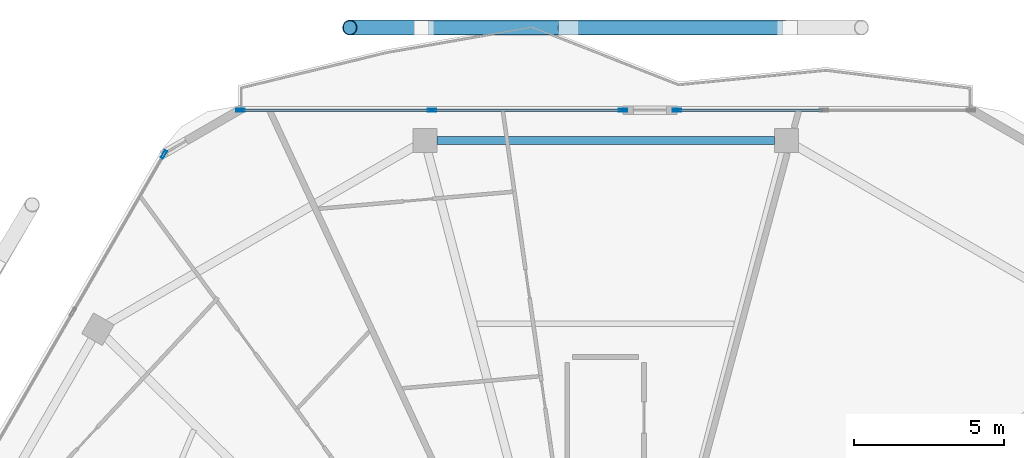
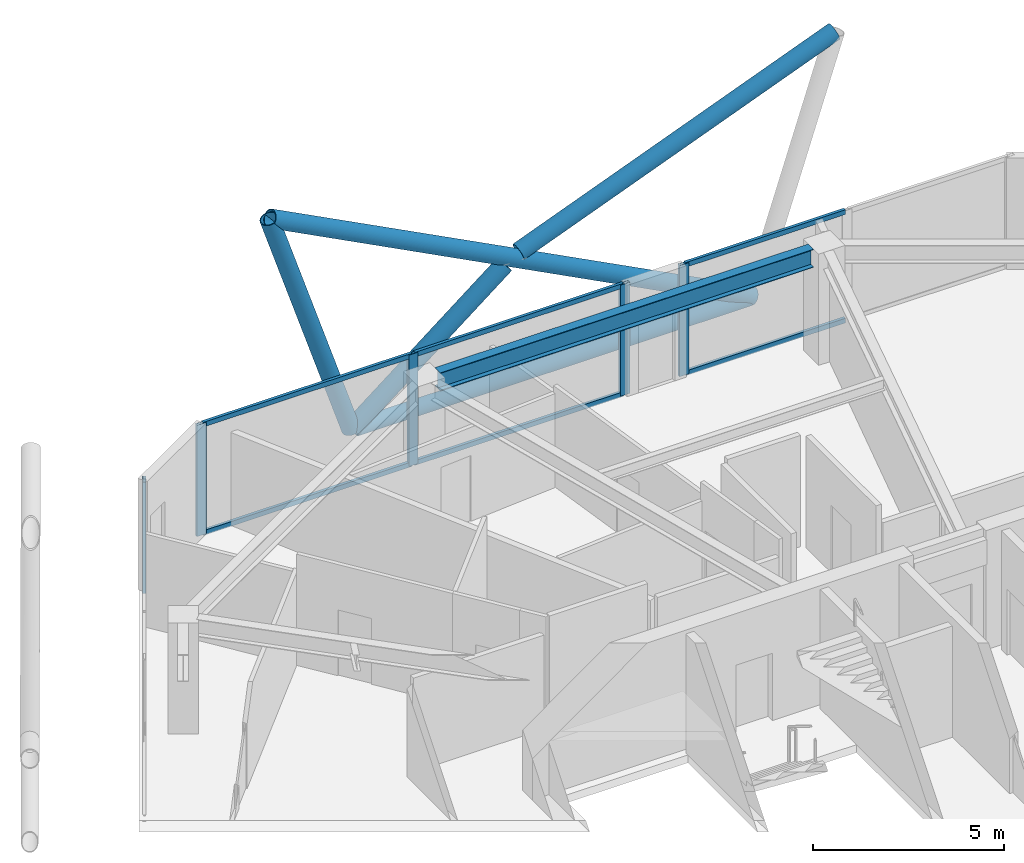
# One storey, part 12 of 23: 16 members, 1 beam, 3 elements without a shape of their own.
"""IFC4 building model written with IfcOpenShell, lengths in metres."""

from ifc_helpers import new_model, si_unit, direction, frame, origin, origin_2d, place, context, subcontext, project, spatial, hollow_rectangle, hollow_circle, i_section, extrude, material, material_profile, profile_set, type_object, element, aggregate, save


model = new_model("IFC4")

# Units and contexts
model_context = context("Model", 3, precision=1e-05, world=origin(), true_north=direction((0.0, 1.0)))
body_context = subcontext(model_context, "Body", "Model", "MODEL_VIEW")
ifc_project = project(units=[si_unit("LENGTHUNIT", "METRE"), si_unit("AREAUNIT", "SQUARE_METRE"), si_unit("VOLUMEUNIT", "CUBIC_METRE"), si_unit("PLANEANGLEUNIT", "RADIAN"), si_unit("MASSUNIT", "GRAM", prefix="KILO")], contexts=[model_context])

# Site, building, storey
site_placement = place(None, origin())
site = spatial("IfcSite", under=ifc_project, at=site_placement, CompositionType="ELEMENT")
building_placement = place(site_placement, origin())
building = spatial("IfcBuilding", under=site, at=building_placement, Name="Zuhravey Tower", CompositionType="ELEMENT")
storey_placement = place(building_placement, frame((0.0, 0.0, 323.39990234375)))
storey = spatial("IfcBuildingStorey", under=building, at=storey_placement, Name="L82", CompositionType="ELEMENT", Elevation=323.39990234375)

# Curtain wall, member
ifc_material_1 = material(Name="Thermally broken anodised aluminium", Category="aluminium")
curtain_wall_type = type_object("IfcCurtainWallType", Name="Zone 3-4 High-Rise Curtain Wall CW4", PredefinedType="NOTDEFINED", material=ifc_material_1)
curtain_wall_1_placement = place(storey_placement, origin())
curtain_wall_1 = element("IfcCurtainWall", 1, at=curtain_wall_1_placement, inside=storey, type_object=curtain_wall_type, Name="L82 CW4 CW-L82-F3-1", PredefinedType="NOTDEFINED")
ifc_material_2 = material(Name="Anodised aluminium", Category="aluminium")
ifc_material_profile_1 = material_profile(ifc_material_2, hollow_rectangle(XDim=0.090087890625, YDim=0.284912109375, WallThickness=0.0048828125, at=origin_2d()), Name="ALU-RHS-90x285x5")
ifc_profile_set_1 = profile_set([ifc_material_profile_1], Name="Anodised aluminium")
member_type_1 = type_object("IfcMemberType", Name="Curtain-Wall Mullion 90x180", PredefinedType="MULLION", material=ifc_profile_set_1)
member_1_placement = place(storey_placement, frame((21.248291015625, 54.59765625, 0.0), z_axis=(0.0, 0.0, 1.0), x_axis=(-0.866025511541, 0.49999981336, 0.0)))
member_1 = element("IfcMember", 2, at=member_1_placement, type_object=member_type_1, Name="CW4 mullion 5", PredefinedType="MULLION", context=body_context, shape_type="SweptSolid", body=[
    extrude(hollow_rectangle(XDim=0.090087890625, YDim=0.284912109375, WallThickness=0.0048828125, at=origin_2d()), origin(), (0.0, 0.0, 1.0), 3.550048828125),
])
aggregate(curtain_wall_1, [member_1])

# Curtain wall, members
curtain_wall_2_placement = place(storey_placement, origin())
curtain_wall_2 = element("IfcCurtainWall", 3, at=curtain_wall_2_placement, inside=storey, type_object=curtain_wall_type, Name="L82 CW4 CW-L82-F2-1", PredefinedType="NOTDEFINED")
member_2_placement = place(storey_placement, frame((23.8056640625, 56.07421875, 0.0), z_axis=(0.0, 0.0, 1.0), x_axis=(0.0, 1.0, 0.0)))
member_2 = element("IfcMember", 4, at=member_2_placement, type_object=member_type_1, Name="CW4 mullion 1", PredefinedType="MULLION", context=body_context, shape_type="SweptSolid", body=[
    extrude(hollow_rectangle(XDim=0.090087890625, YDim=0.284912109375, WallThickness=0.0048828125, at=origin_2d()), origin(), (0.0, 0.0, 1.0), 3.550048828125),
])
member_3_placement = place(storey_placement, frame((30.19580078125, 56.07421875, 0.0), z_axis=(0.0, 0.0, 1.0), x_axis=(0.0, 1.0, 0.0)))
member_3 = element("IfcMember", 5, at=member_3_placement, type_object=member_type_1, Name="CW4 mullion 2", PredefinedType="MULLION", context=body_context, shape_type="SweptSolid", body=[
    extrude(hollow_rectangle(XDim=0.090087890625, YDim=0.284912109375, WallThickness=0.0048828125, at=origin_2d()), origin(), (0.0, 0.0, 1.0), 3.550048828125),
])
member_4_placement = place(storey_placement, frame((36.585693359375, 56.07421875, 0.0), z_axis=(0.0, 0.0, 1.0), x_axis=(0.0, 1.0, 0.0)))
member_4 = element("IfcMember", 6, at=member_4_placement, type_object=member_type_1, Name="CW4 mullion 3", PredefinedType="MULLION", context=body_context, shape_type="SweptSolid", body=[
    extrude(hollow_rectangle(XDim=0.090087890625, YDim=0.284912109375, WallThickness=0.0048828125, at=origin_2d()), origin(), (0.0, 0.0, 1.0), 3.550048828125),
])

# Curtain wall, member
curtain_wall_3_placement = place(storey_placement, origin())
curtain_wall_3 = element("IfcCurtainWall", 7, at=curtain_wall_3_placement, inside=storey, type_object=curtain_wall_type, Name="L82 CW4 CW-L82-F2-2", PredefinedType="NOTDEFINED")
member_5_placement = place(storey_placement, frame((38.375732421875, 56.07421875, 0.0), z_axis=(0.0, 0.0, 1.0), x_axis=(0.0, 1.0, 0.0)))
member_5 = element("IfcMember", 8, at=member_5_placement, type_object=member_type_1, Name="CW4 mullion 1", PredefinedType="MULLION", context=body_context, shape_type="SweptSolid", body=[
    extrude(hollow_rectangle(XDim=0.090087890625, YDim=0.284912109375, WallThickness=0.0048828125, at=origin_2d()), origin(), (0.0, 0.0, 1.0), 3.550048828125),
])

# Member
ifc_material_profile_2 = material_profile(ifc_material_2, hollow_rectangle(XDim=0.090087890625, YDim=0.14990234375, WallThickness=0.0048828125, at=origin_2d()), Name="ALU-RHS-90x150x5")
ifc_profile_set_2 = profile_set([ifc_material_profile_2], Name="Anodised aluminium")
member_type_2 = type_object("IfcMemberType", Name="Curtain-Wall Transom 90x150", PredefinedType="USERDEFINED", material=ifc_profile_set_2)
member_6_placement = place(storey_placement, frame((23.8505859375, 56.07421875, 0.045166015625), z_axis=(1.0, 0.0, 0.0), x_axis=(0.0, 1.0, 0.0)))
member_6 = element("IfcMember", 9, at=member_6_placement, type_object=member_type_2, Name="CW4 transom 1.1", ObjectType="TRANSOM", PredefinedType="USERDEFINED", context=body_context, shape_type="SweptSolid", body=[
    extrude(hollow_rectangle(XDim=0.090087890625, YDim=0.14990234375, WallThickness=0.0048828125, at=origin_2d()), origin(), (0.0, 0.0, 1.0), 6.300048828125),
])

member_7_placement = place(storey_placement, frame((23.8505859375, 56.07421875, 3.505126953125), z_axis=(1.0, 0.0, 0.0), x_axis=(0.0, 1.0, 0.0)))
member_7 = element("IfcMember", 10, at=member_7_placement, type_object=member_type_2, Name="CW4 transom 1.2", ObjectType="TRANSOM", PredefinedType="USERDEFINED", context=body_context, shape_type="SweptSolid", body=[
    extrude(hollow_rectangle(XDim=0.090087890625, YDim=0.14990234375, WallThickness=0.0048828125, at=origin_2d()), origin(), (0.0, 0.0, 1.0), 6.300048828125),
])

member_8_placement = place(storey_placement, frame((30.24072265625, 56.07421875, 0.045166015625), z_axis=(1.0, 0.0, 0.0), x_axis=(0.0, 1.0, 0.0)))
member_8 = element("IfcMember", 11, at=member_8_placement, type_object=member_type_2, Name="CW4 transom 2.1", ObjectType="TRANSOM", PredefinedType="USERDEFINED", context=body_context, shape_type="SweptSolid", body=[
    extrude(hollow_rectangle(XDim=0.090087890625, YDim=0.14990234375, WallThickness=0.0048828125, at=origin_2d()), origin(), (0.0, 0.0, 1.0), 6.300048828125),
])

member_9_placement = place(storey_placement, frame((30.24072265625, 56.07421875, 3.505126953125), z_axis=(1.0, 0.0, 0.0), x_axis=(0.0, 1.0, 0.0)))
member_9 = element("IfcMember", 12, at=member_9_placement, type_object=member_type_2, Name="CW4 transom 2.2", ObjectType="TRANSOM", PredefinedType="USERDEFINED", context=body_context, shape_type="SweptSolid", body=[
    extrude(hollow_rectangle(XDim=0.090087890625, YDim=0.14990234375, WallThickness=0.0048828125, at=origin_2d()), origin(), (0.0, 0.0, 1.0), 6.300048828125),
])

aggregate(curtain_wall_2, [member_2, member_3, member_4, member_6, member_7, member_8, member_9])

member_10_placement = place(storey_placement, frame((38.420654296875, 56.07421875, 0.045166015625), z_axis=(1.0, 0.0, 0.0), x_axis=(0.0, 1.0, 0.0)))
member_10 = element("IfcMember", 13, at=member_10_placement, type_object=member_type_2, Name="CW4 transom 1.1", ObjectType="TRANSOM", PredefinedType="USERDEFINED", context=body_context, shape_type="SweptSolid", body=[
    extrude(hollow_rectangle(XDim=0.090087890625, YDim=0.14990234375, WallThickness=0.0048828125, at=origin_2d()), origin(), (0.0, 0.0, 1.0), 4.8193359375),
])

member_11_placement = place(storey_placement, frame((38.420654296875, 56.07421875, 3.505126953125), z_axis=(1.0, 0.0, 0.0), x_axis=(0.0, 1.0, 0.0)))
member_11 = element("IfcMember", 14, at=member_11_placement, type_object=member_type_2, Name="CW4 transom 1.2", ObjectType="TRANSOM", PredefinedType="USERDEFINED", context=body_context, shape_type="SweptSolid", body=[
    extrude(hollow_rectangle(XDim=0.090087890625, YDim=0.14990234375, WallThickness=0.0048828125, at=origin_2d()), origin(), (0.0, 0.0, 1.0), 4.8193359375),
])

aggregate(curtain_wall_3, [member_5, member_10, member_11])

# Members
ifc_material_3 = material(Name="Steel SM355", Category="steel")
ifc_material_profile_3 = material_profile(ifc_material_3, hollow_circle(Radius=0.228515625, WallThickness=0.02197265625, at=origin_2d()), Name="CHS-457.2x22")
ifc_profile_set_3 = profile_set([ifc_material_profile_3], Name="Steel SM355")
member_type_3 = type_object("IfcMemberType", Name="Exoskeleton Ring Tie CHS457x22", PredefinedType="CHORD", material=ifc_profile_set_3)
member_12_placement = place(storey_placement, frame((41.927490234375, 58.833984375, -0.4638671875), z_axis=(-1.0, 0.0, 0.0), x_axis=(0.0, -1.0, 0.0)))
element("IfcMember", 15, at=member_12_placement, inside=storey, type_object=member_type_3, Name="L82 Exoskeleton Face 2 Tie EXR1", PredefinedType="CHORD", context=body_context, shape_type="SweptSolid", body=[
    extrude(hollow_circle(Radius=0.228515625, WallThickness=0.02197265625, at=origin_2d()), origin(), (0.0, 0.0, 1.0), 11.85498046875),
])
ifc_material_profile_4 = material_profile(ifc_material_3, hollow_circle(Radius=0.25390625, WallThickness=0.02490234375, at=origin_2d()), Name="CHS-508.0x25")
ifc_profile_set_4 = profile_set([ifc_material_profile_4], Name="Steel SM355")
member_type_4 = type_object("IfcMemberType", Name="Exoskeleton Zone 4 Diagrid CHS508x25", PredefinedType="BRACE", material=ifc_profile_set_4)
member_13_placement = place(storey_placement, frame((42.03662109375, 58.833984375, -0.447998046875), z_axis=(-0.887234343801, 0.0, 0.461318999371), x_axis=(0.0, -1.0, 0.0)))
element("IfcMember", 16, at=member_13_placement, inside=storey, type_object=member_type_4, Name="L82 Face 2 Diagrid Brace 2", PredefinedType="BRACE", context=body_context, shape_type="SweptSolid", body=[
    extrude(hollow_circle(Radius=0.25390625, WallThickness=0.02490234375, at=origin_2d()), origin(), (0.0, 0.0, 1.0), 16.4052734375),
])
member_14_placement = place(storey_placement, frame((29.927490234375, 58.833984375, -0.447998046875), z_axis=(-0.310453809256, 0.0, 0.950588466329), x_axis=(0.0, -1.0, 0.0)))
element("IfcMember", 17, at=member_14_placement, inside=storey, type_object=member_type_4, Name="L82 Face 2 Diagrid Brace 4", PredefinedType="BRACE", context=body_context, shape_type="SweptSolid", body=[
    extrude(hollow_circle(Radius=0.25390625, WallThickness=0.02490234375, at=origin_2d()), origin(), (0.0, 0.0, 1.0), 7.96142578125),
])
member_15_placement = place(storey_placement, frame((29.9599609375, 58.833984375, -0.4423828125), z_axis=(0.785695252291, 0.0, 0.618613749061), x_axis=(0.0, 1.0, 0.0)))
element("IfcMember", 18, at=member_15_placement, inside=storey, type_object=member_type_4, Name="L82 Face 2 Split Diagrid Brace 3A", PredefinedType="BRACE", context=body_context, shape_type="SweptSolid", body=[
    extrude(hollow_circle(Radius=0.25390625, WallThickness=0.02490234375, at=origin_2d()), origin(), (0.0, 0.0, 1.0), 5.86376953125),
])
member_16_placement = place(storey_placement, frame((34.986328125, 58.833984375, 3.42431640625), z_axis=(0.93224199469, 0.0, 0.361835409179), x_axis=(0.0, 1.0, 0.0)))
element("IfcMember", 19, at=member_16_placement, inside=storey, type_object=member_type_4, Name="L82 Face 2 Split Diagrid Brace 3B", PredefinedType="BRACE", context=body_context, shape_type="SweptSolid", body=[
    extrude(hollow_circle(Radius=0.25390625, WallThickness=0.02490234375, at=origin_2d()), origin(), (0.0, 0.0, 1.0), 10.223388671875),
])

# Beam
ifc_material_profile_5 = material_profile(ifc_material_3, i_section(OverallWidth=0.280029296875, OverallDepth=0.580078125, WebThickness=0.011962890625, FlangeThickness=0.01904296875, at=origin_2d()), Name="H-580x280x12x19")
ifc_profile_set_5 = profile_set([ifc_material_profile_5], Name="Steel SM355")
beam_type = type_object("IfcBeamType", Name="Perimeter Ring Beam H580x280", PredefinedType="BEAM", material=ifc_profile_set_5)
beam_placement = place(storey_placement, frame((41.6357421875, 55.064208984375, 3.260009765625), z_axis=(-1.0, 0.0, 0.0), x_axis=(0.0, -1.0, 0.0)))
element("IfcBeam", 20, at=beam_placement, inside=storey, type_object=beam_type, Name="L82 PB4 BM-L82-PB-03", PredefinedType="BEAM", context=body_context, shape_type="SweptSolid", body=[
    extrude(i_section(OverallWidth=0.280029296875, OverallDepth=0.580078125, WebThickness=0.011962890625, FlangeThickness=0.01904296875, at=origin_2d()), origin(), (0.0, 0.0, 1.0), 11.271484375),
])

save(model, "model.ifc")
